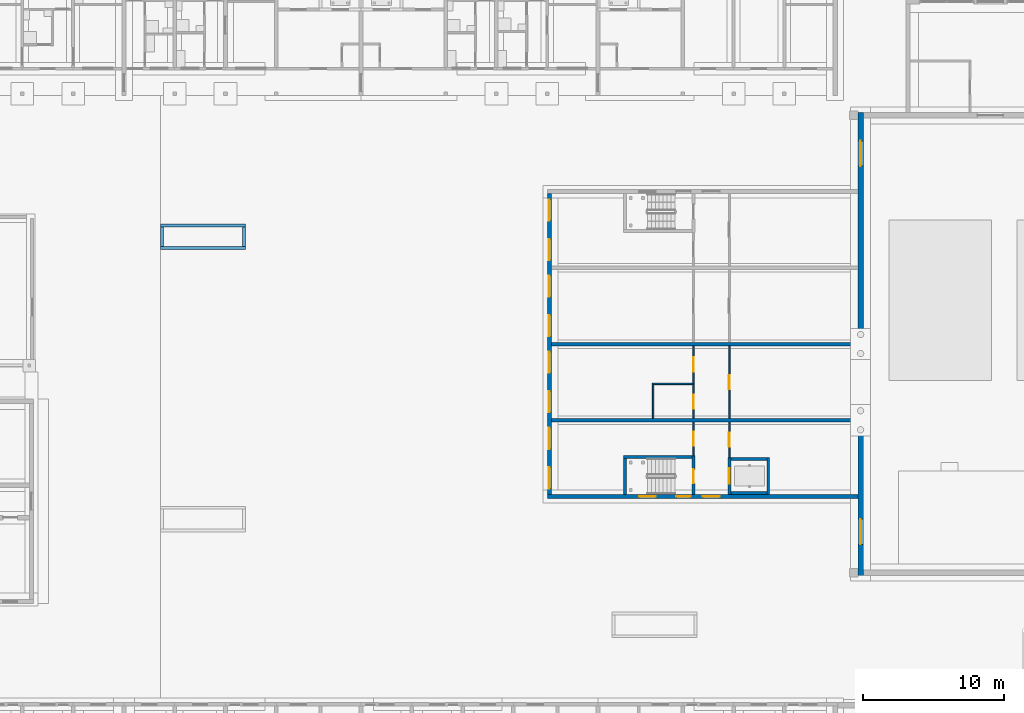
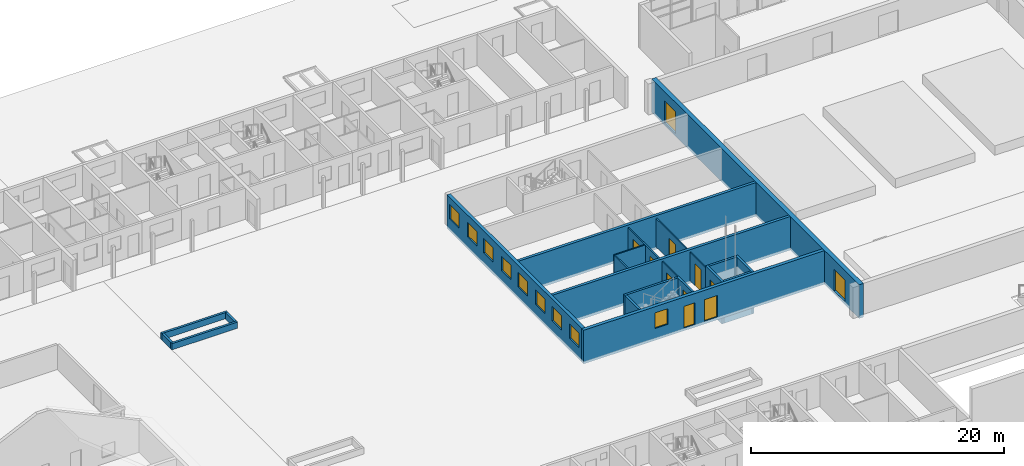
# One storey, part 45 of 112: 22 walls, 11 doors, 9 windows, 20 openings.
"""IFC4 building model written with IfcOpenShell, lengths in metres."""

from ifc_helpers import new_model, si_unit, direction, frame, frame_2d, origin, place, context, subcontext, project, spatial, rectangle, extrude, material, layer, layer_set, type_object, element, fill, save


model = new_model("IFC4")

# Units and contexts
model_context = context("Model", 3, precision=1e-05, world=origin(), true_north=direction((0.0, 1.0)))
body_context = subcontext(model_context, "Body", "Model", "MODEL_VIEW")
ifc_project = project(units=[si_unit("LENGTHUNIT", "METRE"), si_unit("AREAUNIT", "SQUARE_METRE"), si_unit("VOLUMEUNIT", "CUBIC_METRE"), si_unit("PLANEANGLEUNIT", "RADIAN"), si_unit("MASSUNIT", "GRAM", prefix="KILO")], contexts=[model_context])

# Site, building, storey
site_placement = place(None, origin())
site = spatial("IfcSite", under=ifc_project, at=site_placement, CompositionType="ELEMENT")
building_placement = place(site_placement, origin())
building = spatial("IfcBuilding", under=site, at=building_placement, Name="Ridgestep Commons", CompositionType="ELEMENT")
storey_placement = place(building_placement, origin())
storey = spatial("IfcBuildingStorey", under=building, at=storey_placement, Name="L00", CompositionType="ELEMENT", Elevation=0.0)

# Walls
ifc_material_1 = material(Name="Precast concrete C40/50", Category="concrete")
ifc_layer_1 = layer(ifc_material_1, 0.25)
ifc_layer_set_1 = layer_set([ifc_layer_1], Name="Annex cross wall 250")
wall_type_1 = type_object("IfcWallType", Name="Annex cross wall 250", PredefinedType="SOLIDWALL", material=ifc_layer_set_1)
for number, where, z_axis, x_axis, name in (
    (1, (114.39990234375, 43.0, -0.25), (0.0, 0.0, 1.0), (-1.0, 0.0, 0.0), "Annex cross wall 250"),
    (2, (114.39990234375, 48.39990234375, -0.25), (0.0, 0.0, 1.0), (-1.0, 0.0, 0.0), "Annex cross wall 250"),
):
    element("IfcWall", number, at=place(storey_placement, frame(where, z_axis=z_axis, x_axis=x_axis)), inside=storey, type_object=wall_type_1, Name=name, PredefinedType="SOLIDWALL", context=body_context, shape_type="SweptSolid", body=[
        extrude(rectangle(XDim=21.699951171875, YDim=0.25, at=frame_2d((10.85009765625, 0.0))), origin(), (0.0, 0.0, 1.0), 3.25),
    ])

# Wall, openings, doors, window
ifc_material_2 = material(Name="Precast concrete C40/50", Category="concrete")
ifc_layer_2 = layer(ifc_material_2, 0.300048828125)
ifc_layer_set_2 = layer_set([ifc_layer_2], Name="Annex wall 300")
wall_type_2 = type_object("IfcWallType", Name="Annex wall 300", PredefinedType="SOLIDWALL", material=ifc_layer_set_2)
wall_1_placement = place(storey_placement, frame((114.39990234375, 37.60009765625, -0.25), z_axis=(0.0, 0.0, 1.0), x_axis=(-1.0, 0.0, 0.0)))
wall_1 = element("IfcWall", 3, at=wall_1_placement, inside=storey, type_object=wall_type_2, Name="Annex wall 300", PredefinedType="SOLIDWALL", context=body_context, shape_type="SweptSolid", body=[
    extrude(rectangle(XDim=22.0, YDim=0.300048828125, at=frame_2d((11.0, 0.0))), origin(), (0.0, 0.0, 1.0), 3.25),
])
opening_1_placement = place(wall_1_placement, frame((14.298095703125, 0.0, 1.14990234375)))
opening_1 = element("IfcOpeningElement", 4, at=opening_1_placement, cuts=wall_1, Name="Opening WK1", PredefinedType="OPENING", context=body_context, shape_type="SweptSolid", body=[
    extrude(rectangle(XDim=1.199951171875, YDim=1.5, at=frame_2d((0.60009765625, 0.75))), frame((0.0, 0.159912109375, 0.0), z_axis=(0.0, -1.0, 0.0), x_axis=(1.0, 0.0, 0.0)), (0.0, 0.0, 1.0), 0.320068359375),
])
opening_2_placement = place(wall_1_placement, frame((9.77490234375, 0.0, 0.25)))
opening_2 = element("IfcOpeningElement", 5, at=opening_2_placement, cuts=wall_1, Name="Opening C008", PredefinedType="OPENING", context=body_context, shape_type="SweptSolid", body=[
    extrude(rectangle(XDim=1.199951171875, YDim=2.10009765625, at=frame_2d((0.60009765625, 1.050048828125))), frame((0.0, 0.159912109375, 0.0), z_axis=(0.0, -1.0, 0.0), x_axis=(1.0, 0.0, 0.0)), (0.0, 0.0, 1.0), 0.320068359375),
])
opening_3_placement = place(wall_1_placement, frame((11.85009765625, 0.0, 0.25)))
opening_3 = element("IfcOpeningElement", 6, at=opening_3_placement, cuts=wall_1, Name="Opening C009", PredefinedType="OPENING", context=body_context, shape_type="SweptSolid", body=[
    extrude(rectangle(XDim=1.0, YDim=2.10009765625, at=frame_2d((0.5, 1.050048828125))), frame((0.0, 0.159912109375, 0.0), z_axis=(0.0, -1.0, 0.0), x_axis=(1.0, 0.0, 0.0)), (0.0, 0.0, 1.0), 0.320068359375),
])
ifc_material_3 = material(Name="Steel", Category="steel")
door_type_1 = type_object("IfcDoorType", Name="Community exit door 1000 x 2100", OperationType="SINGLE_SWING_LEFT", PredefinedType="DOOR", material=ifc_material_3)
door_1_placement = place(opening_3_placement, origin())
door_1 = element("IfcDoor", 7, at=door_1_placement, inside=storey, type_object=door_type_1, Name="Community exit door 1000 x 2100", OperationType="SINGLE_SWING_RIGHT", OverallHeight=2.10009765625, OverallWidth=1.0, PredefinedType="DOOR", context=body_context, shape_type="SweptSolid", body=[
    extrude(rectangle(XDim=1.0, YDim=2.10009765625, at=frame_2d((0.5, 1.050048828125))), frame((0.0, 0.02490234375, 0.0), z_axis=(0.0, -1.0, 0.0), x_axis=(1.0, 0.0, 0.0)), (0.0, 0.0, 1.0), 0.050048828125),
])
fill(opening_3, door_1)
ifc_material_4 = material(Name="Steel", Category="steel")
door_type_2 = type_object("IfcDoorType", Name="Community exit door 1200 x 2100", OperationType="SINGLE_SWING_LEFT", PredefinedType="DOOR", material=ifc_material_4)
door_2_placement = place(opening_2_placement, origin())
door_2 = element("IfcDoor", 8, at=door_2_placement, inside=storey, type_object=door_type_2, Name="Community exit door 1200 x 2100", OperationType="SINGLE_SWING_RIGHT", OverallHeight=2.10009765625, OverallWidth=1.199951171875, PredefinedType="DOOR", context=body_context, shape_type="SweptSolid", body=[
    extrude(rectangle(XDim=1.199951171875, YDim=2.10009765625, at=frame_2d((0.60009765625, 1.050048828125))), frame((0.0, 0.02490234375, 0.0), z_axis=(0.0, -1.0, 0.0), x_axis=(1.0, 0.0, 0.0)), (0.0, 0.0, 1.0), 0.050048828125),
])
fill(opening_2, door_2)
ifc_material_5 = material(Name="Aluminium and glass", Category="aluminium")
window_type_1 = type_object("IfcWindowType", Name="Community window 1200 x 1500", PartitioningType="SINGLE_PANEL", PredefinedType="WINDOW", material=ifc_material_5)
window_1_placement = place(opening_1_placement, origin())
window_1 = element("IfcWindow", 9, at=window_1_placement, inside=storey, type_object=window_type_1, Name="Community window 1200 x 1500", OverallHeight=1.5, OverallWidth=1.199951171875, PartitioningType="SINGLE_PANEL", PredefinedType="WINDOW", context=body_context, shape_type="SweptSolid", body=[
    extrude(rectangle(XDim=1.199951171875, YDim=1.5, at=frame_2d((0.60009765625, 0.75))), frame((0.0, 0.030029296875, 0.0), z_axis=(0.0, -1.0, 0.0), x_axis=(1.0, 0.0, 0.0)), (0.0, 0.0, 1.0), 0.06005859375),
])
fill(opening_1, window_1)

# Wall, openings, windows
wall_2_placement = place(storey_placement, frame((92.550048828125, 37.75, -0.25), z_axis=(0.0, 0.0, 1.0), x_axis=(0.0, 1.0, 0.0)))
wall_2 = element("IfcWall", 10, at=wall_2_placement, inside=storey, type_object=wall_type_2, Name="Annex wall 300", PredefinedType="SOLIDWALL", context=body_context, shape_type="SweptSolid", body=[
    extrude(rectangle(XDim=21.300048828125, YDim=0.300048828125, at=frame_2d((10.64990234375, 0.0))), origin(), (0.0, 0.0, 1.0), 3.25),
])
opening_4_placement = place(wall_2_placement, frame((0.41259765625, 0.0, 1.14990234375)))
opening_4 = element("IfcOpeningElement", 11, at=opening_4_placement, cuts=wall_2, Name="Opening WK2", PredefinedType="OPENING", context=body_context, shape_type="SweptSolid", body=[
    extrude(rectangle(XDim=1.5, YDim=1.39990234375, at=frame_2d((0.75, 0.699951171875))), frame((0.0, 0.159912109375, 0.0), z_axis=(0.0, -1.0, 0.0), x_axis=(1.0, 0.0, 0.0)), (0.0, 0.0, 1.0), 0.320068359375),
])
opening_5_placement = place(wall_2_placement, frame((3.21240234375, 0.0, 1.14990234375)))
opening_5 = element("IfcOpeningElement", 12, at=opening_5_placement, cuts=wall_2, Name="Opening WK2", PredefinedType="OPENING", context=body_context, shape_type="SweptSolid", body=[
    extrude(rectangle(XDim=1.5, YDim=1.39990234375, at=frame_2d((0.75, 0.699951171875))), frame((0.0, 0.159912109375, 0.0), z_axis=(0.0, -1.0, 0.0), x_axis=(1.0, 0.0, 0.0)), (0.0, 0.0, 1.0), 0.320068359375),
])
opening_6_placement = place(wall_2_placement, frame((5.800048828125, 0.0, 1.14990234375)))
opening_6 = element("IfcOpeningElement", 13, at=opening_6_placement, cuts=wall_2, Name="Opening WK2", PredefinedType="OPENING", context=body_context, shape_type="SweptSolid", body=[
    extrude(rectangle(XDim=1.5, YDim=1.39990234375, at=frame_2d((0.75, 0.699951171875))), frame((0.0, 0.159912109375, 0.0), z_axis=(0.0, -1.0, 0.0), x_axis=(1.0, 0.0, 0.0)), (0.0, 0.0, 1.0), 0.320068359375),
])
opening_7_placement = place(wall_2_placement, frame((8.60009765625, 0.0, 1.14990234375)))
opening_7 = element("IfcOpeningElement", 14, at=opening_7_placement, cuts=wall_2, Name="Opening WK2", PredefinedType="OPENING", context=body_context, shape_type="SweptSolid", body=[
    extrude(rectangle(XDim=1.5, YDim=1.39990234375, at=frame_2d((0.75, 0.699951171875))), frame((0.0, 0.159912109375, 0.0), z_axis=(0.0, -1.0, 0.0), x_axis=(1.0, 0.0, 0.0)), (0.0, 0.0, 1.0), 0.320068359375),
])
opening_8_placement = place(wall_2_placement, frame((11.199951171875, 0.0, 1.14990234375)))
opening_8 = element("IfcOpeningElement", 15, at=opening_8_placement, cuts=wall_2, Name="Opening WK2", PredefinedType="OPENING", context=body_context, shape_type="SweptSolid", body=[
    extrude(rectangle(XDim=1.5, YDim=1.39990234375, at=frame_2d((0.75, 0.699951171875))), frame((0.0, 0.159912109375, 0.0), z_axis=(0.0, -1.0, 0.0), x_axis=(1.0, 0.0, 0.0)), (0.0, 0.0, 1.0), 0.320068359375),
])
opening_9_placement = place(wall_2_placement, frame((14.0, 0.0, 1.14990234375)))
opening_9 = element("IfcOpeningElement", 16, at=opening_9_placement, cuts=wall_2, Name="Opening WK2", PredefinedType="OPENING", context=body_context, shape_type="SweptSolid", body=[
    extrude(rectangle(XDim=1.5, YDim=1.39990234375, at=frame_2d((0.75, 0.699951171875))), frame((0.0, 0.159912109375, 0.0), z_axis=(0.0, -1.0, 0.0), x_axis=(1.0, 0.0, 0.0)), (0.0, 0.0, 1.0), 0.320068359375),
])
opening_10_placement = place(wall_2_placement, frame((16.58740234375, 0.0, 1.14990234375)))
opening_10 = element("IfcOpeningElement", 17, at=opening_10_placement, cuts=wall_2, Name="Opening WK2", PredefinedType="OPENING", context=body_context, shape_type="SweptSolid", body=[
    extrude(rectangle(XDim=1.5, YDim=1.39990234375, at=frame_2d((0.75, 0.699951171875))), frame((0.0, 0.159912109375, 0.0), z_axis=(0.0, -1.0, 0.0), x_axis=(1.0, 0.0, 0.0)), (0.0, 0.0, 1.0), 0.320068359375),
])
opening_11_placement = place(wall_2_placement, frame((19.387451171875, 0.0, 1.14990234375)))
opening_11 = element("IfcOpeningElement", 18, at=opening_11_placement, cuts=wall_2, Name="Opening WK2", PredefinedType="OPENING", context=body_context, shape_type="SweptSolid", body=[
    extrude(rectangle(XDim=1.5, YDim=1.39990234375, at=frame_2d((0.75, 0.699951171875))), frame((0.0, 0.159912109375, 0.0), z_axis=(0.0, -1.0, 0.0), x_axis=(1.0, 0.0, 0.0)), (0.0, 0.0, 1.0), 0.320068359375),
])
ifc_material_6 = material(Name="Aluminium and glass", Category="aluminium")
window_type_2 = type_object("IfcWindowType", Name="Community window 1500 x 1400", PartitioningType="DOUBLE_PANEL_HORIZONTAL", PredefinedType="WINDOW", material=ifc_material_6)
window_2_placement = place(opening_4_placement, origin())
window_2 = element("IfcWindow", 19, at=window_2_placement, inside=storey, type_object=window_type_2, Name="Community window 1500 x 1400", OverallHeight=1.39990234375, OverallWidth=1.5, PartitioningType="SINGLE_PANEL", PredefinedType="WINDOW", context=body_context, shape_type="SweptSolid", body=[
    extrude(rectangle(XDim=1.5, YDim=1.39990234375, at=frame_2d((0.75, 0.699951171875))), frame((0.0, 0.030029296875, 0.0), z_axis=(0.0, -1.0, 0.0), x_axis=(1.0, 0.0, 0.0)), (0.0, 0.0, 1.0), 0.06005859375),
])
fill(opening_4, window_2)
window_3_placement = place(opening_5_placement, origin())
window_3 = element("IfcWindow", 20, at=window_3_placement, inside=storey, type_object=window_type_2, Name="Community window 1500 x 1400", OverallHeight=1.39990234375, OverallWidth=1.5, PartitioningType="SINGLE_PANEL", PredefinedType="WINDOW", context=body_context, shape_type="SweptSolid", body=[
    extrude(rectangle(XDim=1.5, YDim=1.39990234375, at=frame_2d((0.75, 0.699951171875))), frame((0.0, 0.030029296875, 0.0), z_axis=(0.0, -1.0, 0.0), x_axis=(1.0, 0.0, 0.0)), (0.0, 0.0, 1.0), 0.06005859375),
])
fill(opening_5, window_3)
window_4_placement = place(opening_6_placement, origin())
window_4 = element("IfcWindow", 21, at=window_4_placement, inside=storey, type_object=window_type_2, Name="Community window 1500 x 1400", OverallHeight=1.39990234375, OverallWidth=1.5, PartitioningType="SINGLE_PANEL", PredefinedType="WINDOW", context=body_context, shape_type="SweptSolid", body=[
    extrude(rectangle(XDim=1.5, YDim=1.39990234375, at=frame_2d((0.75, 0.699951171875))), frame((0.0, 0.030029296875, 0.0), z_axis=(0.0, -1.0, 0.0), x_axis=(1.0, 0.0, 0.0)), (0.0, 0.0, 1.0), 0.06005859375),
])
fill(opening_6, window_4)
window_5_placement = place(opening_7_placement, origin())
window_5 = element("IfcWindow", 22, at=window_5_placement, inside=storey, type_object=window_type_2, Name="Community window 1500 x 1400", OverallHeight=1.39990234375, OverallWidth=1.5, PartitioningType="SINGLE_PANEL", PredefinedType="WINDOW", context=body_context, shape_type="SweptSolid", body=[
    extrude(rectangle(XDim=1.5, YDim=1.39990234375, at=frame_2d((0.75, 0.699951171875))), frame((0.0, 0.030029296875, 0.0), z_axis=(0.0, -1.0, 0.0), x_axis=(1.0, 0.0, 0.0)), (0.0, 0.0, 1.0), 0.06005859375),
])
fill(opening_7, window_5)
window_6_placement = place(opening_8_placement, origin())
window_6 = element("IfcWindow", 23, at=window_6_placement, inside=storey, type_object=window_type_2, Name="Community window 1500 x 1400", OverallHeight=1.39990234375, OverallWidth=1.5, PartitioningType="SINGLE_PANEL", PredefinedType="WINDOW", context=body_context, shape_type="SweptSolid", body=[
    extrude(rectangle(XDim=1.5, YDim=1.39990234375, at=frame_2d((0.75, 0.699951171875))), frame((0.0, 0.030029296875, 0.0), z_axis=(0.0, -1.0, 0.0), x_axis=(1.0, 0.0, 0.0)), (0.0, 0.0, 1.0), 0.06005859375),
])
fill(opening_8, window_6)
window_7_placement = place(opening_9_placement, origin())
window_7 = element("IfcWindow", 24, at=window_7_placement, inside=storey, type_object=window_type_2, Name="Community window 1500 x 1400", OverallHeight=1.39990234375, OverallWidth=1.5, PartitioningType="SINGLE_PANEL", PredefinedType="WINDOW", context=body_context, shape_type="SweptSolid", body=[
    extrude(rectangle(XDim=1.5, YDim=1.39990234375, at=frame_2d((0.75, 0.699951171875))), frame((0.0, 0.030029296875, 0.0), z_axis=(0.0, -1.0, 0.0), x_axis=(1.0, 0.0, 0.0)), (0.0, 0.0, 1.0), 0.06005859375),
])
fill(opening_9, window_7)
window_8_placement = place(opening_10_placement, origin())
window_8 = element("IfcWindow", 25, at=window_8_placement, inside=storey, type_object=window_type_2, Name="Community window 1500 x 1400", OverallHeight=1.39990234375, OverallWidth=1.5, PartitioningType="SINGLE_PANEL", PredefinedType="WINDOW", context=body_context, shape_type="SweptSolid", body=[
    extrude(rectangle(XDim=1.5, YDim=1.39990234375, at=frame_2d((0.75, 0.699951171875))), frame((0.0, 0.030029296875, 0.0), z_axis=(0.0, -1.0, 0.0), x_axis=(1.0, 0.0, 0.0)), (0.0, 0.0, 1.0), 0.06005859375),
])
fill(opening_10, window_8)
window_9_placement = place(opening_11_placement, origin())
window_9 = element("IfcWindow", 26, at=window_9_placement, inside=storey, type_object=window_type_2, Name="Community window 1500 x 1400", OverallHeight=1.39990234375, OverallWidth=1.5, PartitioningType="SINGLE_PANEL", PredefinedType="WINDOW", context=body_context, shape_type="SweptSolid", body=[
    extrude(rectangle(XDim=1.5, YDim=1.39990234375, at=frame_2d((0.75, 0.699951171875))), frame((0.0, 0.030029296875, 0.0), z_axis=(0.0, -1.0, 0.0), x_axis=(1.0, 0.0, 0.0)), (0.0, 0.0, 1.0), 0.06005859375),
])
fill(opening_11, window_9)

# Wall, opening, door
ifc_material_7 = material(Name="Common brick 110 mm", Category="masonry")
ifc_layer_3 = layer(ifc_material_7, 0.110107421875)
ifc_layer_set_3 = layer_set([ifc_layer_3], Name="Community partition 110")
wall_type_3 = type_object("IfcWallType", Name="Community partition 110", PredefinedType="PARTITIONING", material=ifc_layer_set_3)
wall_3_placement = place(storey_placement, frame((105.300048828125, 40.35009765625, 0.0), z_axis=(0.0, 0.0, 1.0), x_axis=(0.0, 1.0, 0.0)))
wall_3 = element("IfcWall", 27, at=wall_3_placement, inside=storey, type_object=wall_type_3, Name="Community partition 110", PredefinedType="PARTITIONING", context=body_context, shape_type="SweptSolid", body=[
    extrude(rectangle(XDim=2.52490234375, YDim=0.110107421875, at=frame_2d((1.262451171875, 0.0))), origin(), (0.0, 0.0, 1.0), 2.75),
])
opening_12_placement = place(wall_3_placement, frame((0.762451171875, 0.0, 0.0)))
opening_12 = element("IfcOpeningElement", 28, at=opening_12_placement, cuts=wall_3, Name="Opening C052", PredefinedType="OPENING", context=body_context, shape_type="SweptSolid", body=[
    extrude(rectangle(XDim=1.0, YDim=2.10009765625, at=frame_2d((0.5, 1.050048828125))), frame((0.0, 0.06494140625, 0.0), z_axis=(0.0, -1.0, 0.0), x_axis=(1.0, 0.0, 0.0)), (0.0, 0.0, 1.0), 0.130126953125),
])
ifc_material_8 = material(Name="Timber and steel", Category="steel")
door_type_3 = type_object("IfcDoorType", Name="Community fire door 1000 x 2100", OperationType="SINGLE_SWING_LEFT", PredefinedType="DOOR", material=ifc_material_8)
door_3_placement = place(opening_12_placement, origin())
door_3 = element("IfcDoor", 29, at=door_3_placement, inside=storey, type_object=door_type_3, Name="Community fire door 1000 x 2100", OperationType="SINGLE_SWING_RIGHT", OverallHeight=2.10009765625, OverallWidth=1.0, PredefinedType="DOOR", context=body_context, shape_type="SweptSolid", body=[
    extrude(rectangle(XDim=1.0, YDim=2.10009765625, at=frame_2d((0.5, 1.050048828125))), frame((0.0, 0.02490234375, 0.0), z_axis=(0.0, -1.0, 0.0), x_axis=(1.0, 0.0, 0.0)), (0.0, 0.0, 1.0), 0.050048828125),
])
fill(opening_12, door_3)

wall_4_placement = place(storey_placement, frame((105.300048828125, 43.125, 0.0), z_axis=(0.0, 0.0, 1.0), x_axis=(0.0, 1.0, 0.0)))
wall_4 = element("IfcWall", 30, at=wall_4_placement, inside=storey, type_object=wall_type_3, Name="Community partition 110", PredefinedType="PARTITIONING", context=body_context, shape_type="SweptSolid", body=[
    extrude(rectangle(XDim=5.14990234375, YDim=0.110107421875, at=frame_2d((2.574951171875, 0.0))), origin(), (0.0, 0.0, 1.0), 2.75),
])
opening_13_placement = place(wall_4_placement, frame((2.074951171875, 0.0, 0.0)))
opening_13 = element("IfcOpeningElement", 31, at=opening_13_placement, cuts=wall_4, Name="Opening C053", PredefinedType="OPENING", context=body_context, shape_type="SweptSolid", body=[
    extrude(rectangle(XDim=1.0, YDim=2.10009765625, at=frame_2d((0.5, 1.050048828125))), frame((0.0, 0.06494140625, 0.0), z_axis=(0.0, -1.0, 0.0), x_axis=(1.0, 0.0, 0.0)), (0.0, 0.0, 1.0), 0.130126953125),
])
door_4_placement = place(opening_13_placement, origin())
door_4 = element("IfcDoor", 32, at=door_4_placement, inside=storey, type_object=door_type_3, Name="Community fire door 1000 x 2100", OperationType="SINGLE_SWING_LEFT", OverallHeight=2.10009765625, OverallWidth=1.0, PredefinedType="DOOR", context=body_context, shape_type="SweptSolid", body=[
    extrude(rectangle(XDim=1.0, YDim=2.10009765625, at=frame_2d((0.5, 1.050048828125))), frame((0.0, 0.02490234375, 0.0), z_axis=(0.0, -1.0, 0.0), x_axis=(1.0, 0.0, 0.0)), (0.0, 0.0, 1.0), 0.050048828125),
])
fill(opening_13, door_4)

wall_5_placement = place(storey_placement, frame((102.75, 40.5, 0.0), z_axis=(0.0, 0.0, 1.0), x_axis=(0.0, 1.0, 0.0)))
wall_5 = element("IfcWall", 33, at=wall_5_placement, inside=storey, type_object=wall_type_3, Name="Community partition 110", PredefinedType="PARTITIONING", context=body_context, shape_type="SweptSolid", body=[
    extrude(rectangle(XDim=2.375, YDim=0.110107421875, at=frame_2d((1.1875, 0.0))), origin(), (0.0, 0.0, 1.0), 2.75),
])
opening_14_placement = place(wall_5_placement, frame((0.6875, 0.0, 0.0)))
opening_14 = element("IfcOpeningElement", 34, at=opening_14_placement, cuts=wall_5, Name="Opening C056", PredefinedType="OPENING", context=body_context, shape_type="SweptSolid", body=[
    extrude(rectangle(XDim=1.0, YDim=2.10009765625, at=frame_2d((0.5, 1.050048828125))), frame((0.0, 0.06494140625, 0.0), z_axis=(0.0, -1.0, 0.0), x_axis=(1.0, 0.0, 0.0)), (0.0, 0.0, 1.0), 0.130126953125),
])
door_5_placement = place(opening_14_placement, origin())
door_5 = element("IfcDoor", 35, at=door_5_placement, inside=storey, type_object=door_type_3, Name="Community fire door 1000 x 2100", OperationType="SINGLE_SWING_RIGHT", OverallHeight=2.10009765625, OverallWidth=1.0, PredefinedType="DOOR", context=body_context, shape_type="SweptSolid", body=[
    extrude(rectangle(XDim=1.0, YDim=2.10009765625, at=frame_2d((0.5, 1.050048828125))), frame((0.0, 0.02490234375, 0.0), z_axis=(0.0, -1.0, 0.0), x_axis=(1.0, 0.0, 0.0)), (0.0, 0.0, 1.0), 0.050048828125),
])
fill(opening_14, door_5)

# Wall, openings, doors
wall_6_placement = place(storey_placement, frame((102.75, 43.125, 0.0), z_axis=(0.0, 0.0, 1.0), x_axis=(0.0, 1.0, 0.0)))
wall_6 = element("IfcWall", 36, at=wall_6_placement, inside=storey, type_object=wall_type_3, Name="Community partition 110", PredefinedType="PARTITIONING", context=body_context, shape_type="SweptSolid", body=[
    extrude(rectangle(XDim=5.14990234375, YDim=0.110107421875, at=frame_2d((2.574951171875, 0.0))), origin(), (0.0, 0.0, 1.0), 2.75),
])
opening_15_placement = place(wall_6_placement, frame((0.697509765625, 0.0, 0.0)))
opening_15 = element("IfcOpeningElement", 37, at=opening_15_placement, cuts=wall_6, Name="Opening C057", PredefinedType="OPENING", context=body_context, shape_type="SweptSolid", body=[
    extrude(rectangle(XDim=1.0, YDim=2.10009765625, at=frame_2d((0.5, 1.050048828125))), frame((0.0, 0.06494140625, 0.0), z_axis=(0.0, -1.0, 0.0), x_axis=(1.0, 0.0, 0.0)), (0.0, 0.0, 1.0), 0.130126953125),
])
opening_16_placement = place(wall_6_placement, frame((3.327392578125, 0.0, 0.0)))
opening_16 = element("IfcOpeningElement", 38, at=opening_16_placement, cuts=wall_6, Name="Opening C058", PredefinedType="OPENING", context=body_context, shape_type="SweptSolid", body=[
    extrude(rectangle(XDim=1.0, YDim=2.10009765625, at=frame_2d((0.5, 1.050048828125))), frame((0.0, 0.06494140625, 0.0), z_axis=(0.0, -1.0, 0.0), x_axis=(1.0, 0.0, 0.0)), (0.0, 0.0, 1.0), 0.130126953125),
])
door_6_placement = place(opening_15_placement, origin())
door_6 = element("IfcDoor", 39, at=door_6_placement, inside=storey, type_object=door_type_3, Name="Community fire door 1000 x 2100", OperationType="SINGLE_SWING_LEFT", OverallHeight=2.10009765625, OverallWidth=1.0, PredefinedType="DOOR", context=body_context, shape_type="SweptSolid", body=[
    extrude(rectangle(XDim=1.0, YDim=2.10009765625, at=frame_2d((0.5, 1.050048828125))), frame((0.0, 0.02490234375, 0.0), z_axis=(0.0, -1.0, 0.0), x_axis=(1.0, 0.0, 0.0)), (0.0, 0.0, 1.0), 0.050048828125),
])
fill(opening_15, door_6)
door_7_placement = place(opening_16_placement, origin())
door_7 = element("IfcDoor", 40, at=door_7_placement, inside=storey, type_object=door_type_3, Name="Community fire door 1000 x 2100", OperationType="SINGLE_SWING_RIGHT", OverallHeight=2.10009765625, OverallWidth=1.0, PredefinedType="DOOR", context=body_context, shape_type="SweptSolid", body=[
    extrude(rectangle(XDim=1.0, YDim=2.10009765625, at=frame_2d((0.5, 1.050048828125))), frame((0.0, 0.02490234375, 0.0), z_axis=(0.0, -1.0, 0.0), x_axis=(1.0, 0.0, 0.0)), (0.0, 0.0, 1.0), 0.050048828125),
])
fill(opening_16, door_7)

# Walls
wall_7_placement = place(storey_placement, frame((102.695068359375, 45.574951171875, 0.0), z_axis=(0.0, 0.0, 1.0), x_axis=(-1.0, 0.0, 0.0)))
element("IfcWall", 41, at=wall_7_placement, inside=storey, type_object=wall_type_3, Name="Community partition 110", PredefinedType="PARTITIONING", context=body_context, shape_type="SweptSolid", body=[
    extrude(rectangle(XDim=2.85009765625, YDim=0.110107421875, at=frame_2d((1.425048828125, 0.0))), origin(), (0.0, 0.0, 1.0), 2.75),
])
wall_8_placement = place(storey_placement, frame((99.89990234375, 43.125, 0.0), z_axis=(0.0, 0.0, 1.0), x_axis=(0.0, 1.0, 0.0)))
element("IfcWall", 42, at=wall_8_placement, inside=storey, type_object=wall_type_3, Name="Community partition 110", PredefinedType="PARTITIONING", context=body_context, shape_type="SweptSolid", body=[
    extrude(rectangle(XDim=2.39501953125, YDim=0.110107421875, at=frame_2d((1.197509765625, 0.0))), origin(), (0.0, 0.0, 1.0), 2.75),
])
ifc_material_9 = material(Name="Concrete C30/37", Category="concrete")
ifc_layer_4 = layer(ifc_material_9, 0.199951171875)
ifc_layer_set_4 = layer_set([ifc_layer_4], Name="Community planter wall 200")
wall_type_4 = type_object("IfcWallType", Name="Community planter wall 200", PredefinedType="SOLIDWALL", material=ifc_layer_set_4)
for number, where, z_axis, x_axis, name in (
    (43, (65.0, 55.199951171875, 0.0), (0.0, 0.0, 1.0), (1.0, 0.0, 0.0), "Planter wall"),
    (44, (65.0, 56.800048828125, 0.0), (0.0, 0.0, 1.0), (1.0, 0.0, 0.0), "Planter wall"),
):
    element("IfcWall", number, at=place(storey_placement, frame(where, z_axis=z_axis, x_axis=x_axis)), inside=storey, type_object=wall_type_4, Name=name, PredefinedType="SOLIDWALL", context=body_context, shape_type="SweptSolid", body=[
        extrude(rectangle(XDim=6.0, YDim=0.199951171875, at=frame_2d((3.0, 0.0))), origin(), (0.0, 0.0, 1.0), 0.60009765625),
    ])
for number, where, z_axis, x_axis, name in (
    (45, (65.10009765625, 55.300048828125, 0.0), (0.0, 0.0, 1.0), (0.0, 1.0, 0.0), "Planter wall"),
    (46, (70.89990234375, 55.300048828125, 0.0), (0.0, 0.0, 1.0), (0.0, 1.0, 0.0), "Planter wall"),
):
    element("IfcWall", number, at=place(storey_placement, frame(where, z_axis=z_axis, x_axis=x_axis)), inside=storey, type_object=wall_type_4, Name=name, PredefinedType="SOLIDWALL", context=body_context, shape_type="SweptSolid", body=[
        extrude(rectangle(XDim=1.39990234375, YDim=0.199951171875, at=frame_2d((0.699951171875, 0.0))), origin(), (0.0, 0.0, 1.0), 0.60009765625),
    ])
ifc_material_10 = material(Name="Concrete C30/37", Category="concrete")
ifc_layer_5 = layer(ifc_material_10, 0.199951171875)
ifc_layer_set_5 = layer_set([ifc_layer_5], Name="Community shaft wall 200")
wall_type_5 = type_object("IfcWallType", Name="Community shaft wall 200", PredefinedType="SOLIDWALL", material=ifc_layer_set_5)
for number, where, z_axis, x_axis, name in (
    (47, (107.949951171875, 40.25, -1.050048828125), (0.0, 0.0, 1.0), (-1.0, 0.0, 0.0), "Community shaft wall 200"),
    (48, (107.949951171875, 37.85009765625, -1.050048828125), (0.0, 0.0, 1.0), (-1.0, 0.0, 0.0), "Community shaft wall 200"),
):
    element("IfcWall", number, at=place(storey_placement, frame(where, z_axis=z_axis, x_axis=x_axis)), inside=storey, type_object=wall_type_5, Name=name, PredefinedType="SOLIDWALL", context=body_context, shape_type="SweptSolid", body=[
        extrude(rectangle(XDim=2.550048828125, YDim=0.199951171875, at=frame_2d((1.27490234375, 0.0))), origin(), (0.0, 0.0, 1.0), 4.050048828125),
    ])
wall_9_placement = place(storey_placement, frame((108.050048828125, 37.75, -1.050048828125), z_axis=(0.0, 0.0, 1.0), x_axis=(0.0, 1.0, 0.0)))
element("IfcWall", 49, at=wall_9_placement, inside=storey, type_object=wall_type_5, Name="Community shaft wall 200", PredefinedType="SOLIDWALL", context=body_context, shape_type="SweptSolid", body=[
    extrude(rectangle(XDim=2.60009765625, YDim=0.199951171875, at=frame_2d((1.300048828125, 0.0))), origin(), (0.0, 0.0, 1.0), 4.050048828125),
])

# Wall, opening, door
wall_10_placement = place(storey_placement, frame((105.300048828125, 37.75, -1.050048828125), z_axis=(0.0, 0.0, 1.0), x_axis=(0.0, 1.0, 0.0)))
wall_10 = element("IfcWall", 50, at=wall_10_placement, inside=storey, type_object=wall_type_5, Name="Community shaft wall 200", PredefinedType="SOLIDWALL", context=body_context, shape_type="SweptSolid", body=[
    extrude(rectangle(XDim=2.60009765625, YDim=0.199951171875, at=frame_2d((1.300048828125, 0.0))), origin(), (0.0, 0.0, 1.0), 4.050048828125),
])
opening_17_placement = place(wall_10_placement, frame((0.75, 0.0, 1.050048828125)))
opening_17 = element("IfcOpeningElement", 51, at=opening_17_placement, cuts=wall_10, Name="Opening LC1/00/1", PredefinedType="OPENING", context=body_context, shape_type="SweptSolid", body=[
    extrude(rectangle(XDim=1.10009765625, YDim=2.10009765625, at=frame_2d((0.550048828125, 1.050048828125))), frame((0.0, 0.10986328125, 0.0), z_axis=(0.0, -1.0, 0.0), x_axis=(1.0, 0.0, 0.0)), (0.0, 0.0, 1.0), 0.219970703125),
])
ifc_material_11 = material(Name="Stainless steel", Category="steel")
door_type_4 = type_object("IfcDoorType", Name="Lift landing door 1100 x 2100 FD60", OperationType="DOUBLE_DOOR_SLIDING", PredefinedType="DOOR", material=ifc_material_11)
door_8_placement = place(opening_17_placement, origin())
door_8 = element("IfcDoor", 52, at=door_8_placement, inside=storey, type_object=door_type_4, Name="Lift landing door", OperationType="SLIDING_TO_LEFT", OverallHeight=2.10009765625, OverallWidth=1.10009765625, PredefinedType="DOOR", context=body_context, shape_type="SweptSolid", body=[
    extrude(rectangle(XDim=1.10009765625, YDim=2.10009765625, at=frame_2d((0.550048828125, 1.050048828125))), frame((0.0, 0.02490234375, 0.0), z_axis=(0.0, -1.0, 0.0), x_axis=(1.0, 0.0, 0.0)), (0.0, 0.0, 1.0), 0.050048828125),
])
fill(opening_17, door_8)

ifc_material_12 = material(Name="Concrete C30/37", Category="concrete")
ifc_layer_6 = layer(ifc_material_12, 0.199951171875)
ifc_layer_set_6 = layer_set([ifc_layer_6], Name="Community stair wall 200")
wall_type_6 = type_object("IfcWallType", Name="Community stair wall 200", PredefinedType="SOLIDWALL", material=ifc_layer_set_6)
wall_11_placement = place(storey_placement, frame((102.75, 37.75, 0.0), z_axis=(0.0, 0.0, 1.0), x_axis=(0.0, 1.0, 0.0)))
wall_11 = element("IfcWall", 53, at=wall_11_placement, inside=storey, type_object=wall_type_6, Name="Community stair wall 200", PredefinedType="SOLIDWALL", context=body_context, shape_type="SweptSolid", body=[
    extrude(rectangle(XDim=2.75, YDim=0.199951171875, at=frame_2d((1.375, 0.0))), origin(), (0.0, 0.0, 1.0), 2.75),
])
opening_18_placement = place(wall_11_placement, frame((0.77490234375, 0.0, 0.0)))
opening_18 = element("IfcOpeningElement", 54, at=opening_18_placement, cuts=wall_11, Name="Opening C061", PredefinedType="OPENING", context=body_context, shape_type="SweptSolid", body=[
    extrude(rectangle(XDim=1.0, YDim=2.10009765625, at=frame_2d((0.5, 1.050048828125))), frame((0.0, 0.10986328125, 0.0), z_axis=(0.0, -1.0, 0.0), x_axis=(1.0, 0.0, 0.0)), (0.0, 0.0, 1.0), 0.219970703125),
])
door_9_placement = place(opening_18_placement, origin())
door_9 = element("IfcDoor", 55, at=door_9_placement, inside=storey, type_object=door_type_3, Name="Community fire door 1000 x 2100", OperationType="SINGLE_SWING_RIGHT", OverallHeight=2.10009765625, OverallWidth=1.0, PredefinedType="DOOR", context=body_context, shape_type="SweptSolid", body=[
    extrude(rectangle(XDim=1.0, YDim=2.10009765625, at=frame_2d((0.5, 1.050048828125))), frame((0.0, 0.02490234375, 0.0), z_axis=(0.0, -1.0, 0.0), x_axis=(1.0, 0.0, 0.0)), (0.0, 0.0, 1.0), 0.050048828125),
])
fill(opening_18, door_9)

# Walls
wall_12_placement = place(storey_placement, frame((102.64990234375, 40.39990234375, 0.0), z_axis=(0.0, 0.0, 1.0), x_axis=(-1.0, 0.0, 0.0)))
element("IfcWall", 56, at=wall_12_placement, inside=storey, type_object=wall_type_6, Name="Community stair wall 200", PredefinedType="SOLIDWALL", context=body_context, shape_type="SweptSolid", body=[
    extrude(rectangle(XDim=4.83984375, YDim=0.199951171875, at=frame_2d((2.419921875, 0.0))), origin(), (0.0, 0.0, 1.0), 2.75),
])
wall_13_placement = place(storey_placement, frame((97.909912109375, 37.75, 0.0), z_axis=(0.0, 0.0, 1.0), x_axis=(0.0, 1.0, 0.0)))
element("IfcWall", 57, at=wall_13_placement, inside=storey, type_object=wall_type_6, Name="Community stair wall 200", PredefinedType="SOLIDWALL", context=body_context, shape_type="SweptSolid", body=[
    extrude(rectangle(XDim=2.550048828125, YDim=0.199951171875, at=frame_2d((1.27490234375, 0.0))), origin(), (0.0, 0.0, 1.0), 2.75),
])

# Wall, openings, doors
ifc_material_13 = material(Name="Precast concrete C40/50", Category="concrete")
ifc_layer_7 = layer(ifc_material_13, 0.39990234375)
ifc_layer_set_7 = layer_set([ifc_layer_7], Name="Hall wall 400")
wall_type_7 = type_object("IfcWallType", Name="Hall wall 400", PredefinedType="SOLIDWALL", material=ifc_layer_set_7)
wall_14_placement = place(storey_placement, frame((114.60009765625, 32.0, -0.25), z_axis=(0.0, 0.0, 1.0), x_axis=(0.0, 1.0, 0.0)))
wall_14 = element("IfcWall", 58, at=wall_14_placement, inside=storey, type_object=wall_type_7, Name="Hall wall 400", PredefinedType="SOLIDWALL", context=body_context, shape_type="SweptSolid", body=[
    extrude(rectangle(XDim=32.800048828125, YDim=0.39990234375, at=frame_2d((16.39990234375, 0.0))), origin(), (0.0, 0.0, 1.0), 3.25),
])
opening_19_placement = place(wall_14_placement, frame((2.199951171875, 0.0, 0.25)))
opening_19 = element("IfcOpeningElement", 59, at=opening_19_placement, cuts=wall_14, Name="Opening C001", PredefinedType="OPENING", context=body_context, shape_type="SweptSolid", body=[
    extrude(rectangle(XDim=1.800048828125, YDim=2.10009765625, at=frame_2d((0.89990234375, 1.050048828125))), frame((0.0, 0.2099609375, 0.0), z_axis=(0.0, -1.0, 0.0), x_axis=(1.0, 0.0, 0.0)), (0.0, 0.0, 1.0), 0.419921875),
])
opening_20_placement = place(wall_14_placement, frame((29.0, 0.0, 0.25)))
opening_20 = element("IfcOpeningElement", 60, at=opening_20_placement, cuts=wall_14, Name="Opening C002", PredefinedType="OPENING", context=body_context, shape_type="SweptSolid", body=[
    extrude(rectangle(XDim=1.800048828125, YDim=2.10009765625, at=frame_2d((0.89990234375, 1.050048828125))), frame((0.0, 0.2099609375, 0.0), z_axis=(0.0, -1.0, 0.0), x_axis=(1.0, 0.0, 0.0)), (0.0, 0.0, 1.0), 0.419921875),
])
ifc_material_14 = material(Name="Aluminium and glass", Category="aluminium")
door_type_5 = type_object("IfcDoorType", Name="Community pair of doors 1800 x 2100", OperationType="DOUBLE_DOOR_SINGLE_SWING", PredefinedType="DOOR", material=ifc_material_14)
door_10_placement = place(opening_19_placement, origin())
door_10 = element("IfcDoor", 61, at=door_10_placement, inside=storey, type_object=door_type_5, Name="Community pair of doors 1800 x 2100", OperationType="DOUBLE_DOOR_SINGLE_SWING", OverallHeight=2.10009765625, OverallWidth=1.800048828125, PredefinedType="DOOR", context=body_context, shape_type="SweptSolid", body=[
    extrude(rectangle(XDim=1.800048828125, YDim=2.10009765625, at=frame_2d((0.89990234375, 1.050048828125))), frame((0.0, 0.02490234375, 0.0), z_axis=(0.0, -1.0, 0.0), x_axis=(1.0, 0.0, 0.0)), (0.0, 0.0, 1.0), 0.050048828125),
])
fill(opening_19, door_10)
door_11_placement = place(opening_20_placement, origin())
door_11 = element("IfcDoor", 62, at=door_11_placement, inside=storey, type_object=door_type_5, Name="Community pair of doors 1800 x 2100", OperationType="DOUBLE_DOOR_SINGLE_SWING", OverallHeight=2.10009765625, OverallWidth=1.800048828125, PredefinedType="DOOR", context=body_context, shape_type="SweptSolid", body=[
    extrude(rectangle(XDim=1.800048828125, YDim=2.10009765625, at=frame_2d((0.89990234375, 1.050048828125))), frame((0.0, 0.02490234375, 0.0), z_axis=(0.0, -1.0, 0.0), x_axis=(1.0, 0.0, 0.0)), (0.0, 0.0, 1.0), 0.050048828125),
])
fill(opening_20, door_11)

save(model, "model.ifc")
